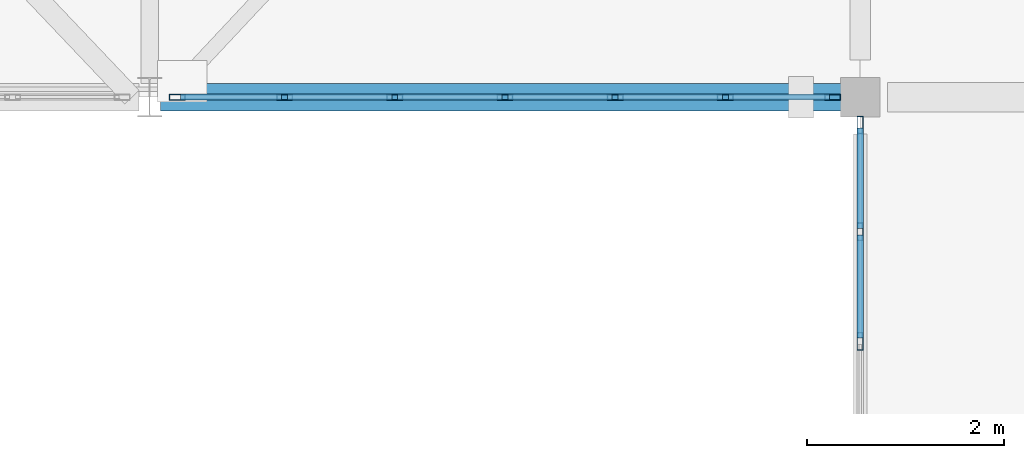
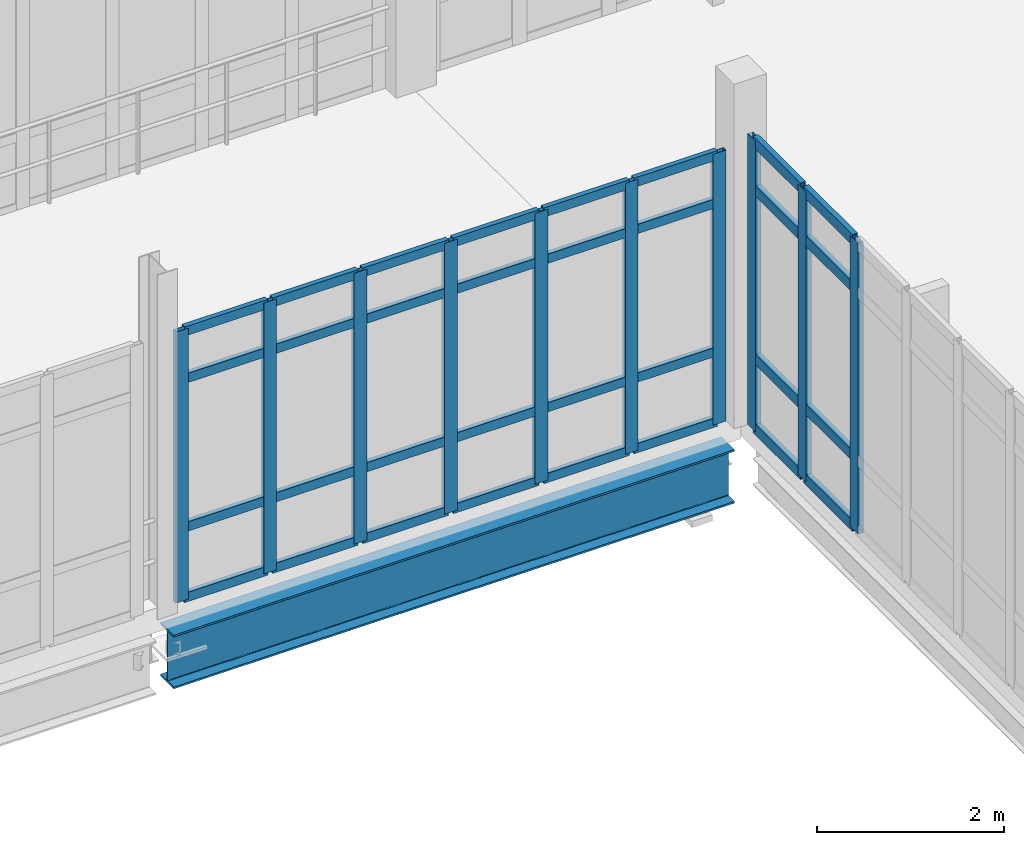
# One storey, part 45 of 116: 42 members, 1 beam, 2 elements without a shape of their own.
"""IFC4 building model written with IfcOpenShell, lengths in metres."""

from ifc_helpers import new_model, si_unit, direction, frame, origin, origin_2d, place, context, subcontext, project, spatial, hollow_rectangle, i_section, extrude, material, material_profile, profile_set, type_object, element, aggregate, save


model = new_model("IFC4")

# Units and contexts
model_context = context("Model", 3, precision=1e-05, world=origin(), true_north=direction((0.0, 1.0)))
body_context = subcontext(model_context, "Body", "Model", "MODEL_VIEW")
ifc_project = project(units=[si_unit("LENGTHUNIT", "METRE"), si_unit("AREAUNIT", "SQUARE_METRE"), si_unit("VOLUMEUNIT", "CUBIC_METRE"), si_unit("PLANEANGLEUNIT", "RADIAN"), si_unit("MASSUNIT", "GRAM", prefix="KILO")], contexts=[model_context])

# Site, building, storey
site_placement = place(None, origin())
site = spatial("IfcSite", under=ifc_project, at=site_placement, CompositionType="ELEMENT")
building_placement = place(site_placement, origin())
building = spatial("IfcBuilding", under=site, at=building_placement, Name="Kalluvel Institute of Natural Sciences", CompositionType="ELEMENT")
storey_placement = place(building_placement, frame((0.0, 0.0, 14.39990234375)))
storey = spatial("IfcBuildingStorey", under=building, at=storey_placement, Name="L03", CompositionType="ELEMENT", Elevation=14.39990234375)

# Beam
ifc_material_1 = material(Name="Steel E350 Grade 350", Category="steel")
ifc_material_profile_1 = material_profile(ifc_material_1, i_section(OverallWidth=0.280029296875, OverallDepth=0.699951171875, WebThickness=0.013916015625, FlangeThickness=0.02392578125, FilletRadius=0.01611328125, at=origin_2d()), Name="WPG 700x280")
ifc_profile_set_1 = profile_set([ifc_material_profile_1], Name="Steel E350 Grade 350")
beam_type = type_object("IfcBeamType", Name="BM-WPG700", PredefinedType="BEAM", material=ifc_profile_set_1)
beam_placement = place(storey_placement, frame((93.31005859375, 28.39990234375, -0.669921875), z_axis=(1.0, 0.0, 0.0), x_axis=(0.0, 1.0, 0.0)))
element("IfcBeam", 1, at=beam_placement, inside=storey, type_object=beam_type, Name="L03 link bridge main plate-girder chord 10", PredefinedType="BEAM", context=body_context, shape_type="SweptSolid", body=[
    extrude(i_section(OverallWidth=0.280029296875, OverallDepth=0.699951171875, WebThickness=0.013916015625, FlangeThickness=0.02392578125, FilletRadius=0.01611328125, at=origin_2d()), origin(), (0.0, 0.0, 1.0), 6.929931640625),
])

# Curtain wall, members
ifc_material_2 = material(Name="Aluminium AW-6063 T6", Category="aluminium")
curtain_wall_type_1 = type_object("IfcCurtainWallType", Name="CW-BRG-45", PredefinedType="USERDEFINED", material=ifc_material_2)
curtain_wall_1_placement = place(storey_placement, origin())
curtain_wall_1 = element("IfcCurtainWall", 2, at=curtain_wall_1_placement, inside=storey, type_object=curtain_wall_type_1, Name="L03 Gothic lancet curtain wall CWA-L03-X934-Y284", ObjectType="UNITISED LANCET FACADE", PredefinedType="USERDEFINED")
ifc_material_profile_2 = material_profile(ifc_material_2, hollow_rectangle(XDim=0.06005859375, YDim=0.159912109375, WallThickness=0.00390625, at=origin_2d()), Name="CWM 60x160")
ifc_profile_set_2 = profile_set([ifc_material_profile_2], Name="Aluminium AW-6063 T6")
member_type_1 = type_object("IfcMemberType", Name="CWM-60x160", PredefinedType="MULLION", material=ifc_profile_set_2)
member_1_placement = place(storey_placement, frame((93.47998046875, 28.39990234375, 0.0), z_axis=(0.0, 0.0, 1.0), x_axis=(0.0, 1.0, 0.0)))
member_1 = element("IfcMember", 3, at=member_1_placement, type_object=member_type_1, Name="CW-07 mullion 1", PredefinedType="MULLION", context=body_context, shape_type="SweptSolid", body=[
    extrude(hollow_rectangle(XDim=0.06005859375, YDim=0.159912109375, WallThickness=0.00390625, at=origin_2d()), origin(), (0.0, 0.0, 1.0), 3.5400390625),
])
member_2_placement = place(storey_placement, frame((94.566650390625, 28.39990234375, 0.0), z_axis=(0.0, 0.0, 1.0), x_axis=(0.0, 1.0, 0.0)))
member_2 = element("IfcMember", 4, at=member_2_placement, type_object=member_type_1, Name="CW-07 mullion 2", PredefinedType="MULLION", context=body_context, shape_type="SweptSolid", body=[
    extrude(hollow_rectangle(XDim=0.06005859375, YDim=0.159912109375, WallThickness=0.00390625, at=origin_2d()), origin(), (0.0, 0.0, 1.0), 3.5400390625),
])
member_3_placement = place(storey_placement, frame((95.683349609375, 28.39990234375, 0.0), z_axis=(0.0, 0.0, 1.0), x_axis=(0.0, 1.0, 0.0)))
member_3 = element("IfcMember", 5, at=member_3_placement, type_object=member_type_1, Name="CW-07 mullion 3", PredefinedType="MULLION", context=body_context, shape_type="SweptSolid", body=[
    extrude(hollow_rectangle(XDim=0.06005859375, YDim=0.159912109375, WallThickness=0.00390625, at=origin_2d()), origin(), (0.0, 0.0, 1.0), 3.5400390625),
])
member_4_placement = place(storey_placement, frame((96.800048828125, 28.39990234375, 0.0), z_axis=(0.0, 0.0, 1.0), x_axis=(0.0, 1.0, 0.0)))
member_4 = element("IfcMember", 6, at=member_4_placement, type_object=member_type_1, Name="CW-07 mullion 4", PredefinedType="MULLION", context=body_context, shape_type="SweptSolid", body=[
    extrude(hollow_rectangle(XDim=0.06005859375, YDim=0.159912109375, WallThickness=0.00390625, at=origin_2d()), origin(), (0.0, 0.0, 1.0), 3.5400390625),
])
member_5_placement = place(storey_placement, frame((97.916748046875, 28.39990234375, 0.0), z_axis=(0.0, 0.0, 1.0), x_axis=(0.0, 1.0, 0.0)))
member_5 = element("IfcMember", 7, at=member_5_placement, type_object=member_type_1, Name="CW-07 mullion 5", PredefinedType="MULLION", context=body_context, shape_type="SweptSolid", body=[
    extrude(hollow_rectangle(XDim=0.06005859375, YDim=0.159912109375, WallThickness=0.00390625, at=origin_2d()), origin(), (0.0, 0.0, 1.0), 3.5400390625),
])
member_6_placement = place(storey_placement, frame((99.033447265625, 28.39990234375, 0.0), z_axis=(0.0, 0.0, 1.0), x_axis=(0.0, 1.0, 0.0)))
member_6 = element("IfcMember", 8, at=member_6_placement, type_object=member_type_1, Name="CW-07 mullion 6", PredefinedType="MULLION", context=body_context, shape_type="SweptSolid", body=[
    extrude(hollow_rectangle(XDim=0.06005859375, YDim=0.159912109375, WallThickness=0.00390625, at=origin_2d()), origin(), (0.0, 0.0, 1.0), 3.5400390625),
])
member_7_placement = place(storey_placement, frame((100.1201171875, 28.39990234375, 0.0), z_axis=(0.0, 0.0, 1.0), x_axis=(0.0, 1.0, 0.0)))
member_7 = element("IfcMember", 9, at=member_7_placement, type_object=member_type_1, Name="CW-07 mullion 7", PredefinedType="MULLION", context=body_context, shape_type="SweptSolid", body=[
    extrude(hollow_rectangle(XDim=0.06005859375, YDim=0.159912109375, WallThickness=0.00390625, at=origin_2d()), origin(), (0.0, 0.0, 1.0), 3.5400390625),
])

curtain_wall_type_2 = type_object("IfcCurtainWallType", Name="CW-SPAV-45", PredefinedType="USERDEFINED", material=ifc_material_2)
curtain_wall_2_placement = place(storey_placement, origin())
curtain_wall_2 = element("IfcCurtainWall", 10, at=curtain_wall_2_placement, inside=storey, type_object=curtain_wall_type_2, Name="L03 Gothic lancet curtain wall CWA-L03-X1004-Y215", ObjectType="UNITISED LANCET FACADE", PredefinedType="USERDEFINED")
ifc_material_profile_3 = material_profile(ifc_material_2, hollow_rectangle(XDim=0.06494140625, YDim=0.179931640625, WallThickness=0.00439453125, at=origin_2d()), Name="CWM 65x180")
ifc_profile_set_3 = profile_set([ifc_material_profile_3], Name="Aluminium AW-6063 T6")
member_type_2 = type_object("IfcMemberType", Name="CWM-65x180", PredefinedType="MULLION", material=ifc_profile_set_3)
member_8_placement = place(storey_placement, frame((100.39990234375, 25.925048828125, 0.0), z_axis=(0.0, 0.0, 1.0), x_axis=(-1.0, 0.0, 0.0)))
member_8 = element("IfcMember", 11, at=member_8_placement, type_object=member_type_2, Name="CW-10 mullion 5", PredefinedType="MULLION", context=body_context, shape_type="SweptSolid", body=[
    extrude(hollow_rectangle(XDim=0.06494140625, YDim=0.179931640625, WallThickness=0.00439453125, at=origin_2d()), origin(), (0.0, 0.0, 1.0), 3.800048828125),
])
member_9_placement = place(storey_placement, frame((100.39990234375, 27.03759765625, 0.0), z_axis=(0.0, 0.0, 1.0), x_axis=(-1.0, 0.0, 0.0)))
member_9 = element("IfcMember", 12, at=member_9_placement, type_object=member_type_2, Name="CW-10 mullion 6", PredefinedType="MULLION", context=body_context, shape_type="SweptSolid", body=[
    extrude(hollow_rectangle(XDim=0.06494140625, YDim=0.179931640625, WallThickness=0.00439453125, at=origin_2d()), origin(), (0.0, 0.0, 1.0), 3.800048828125),
])
member_10_placement = place(storey_placement, frame((100.39990234375, 28.117431640625, 0.0), z_axis=(0.0, 0.0, 1.0), x_axis=(-1.0, 0.0, 0.0)))
member_10 = element("IfcMember", 13, at=member_10_placement, type_object=member_type_2, Name="CW-10 mullion 7", PredefinedType="MULLION", context=body_context, shape_type="SweptSolid", body=[
    extrude(hollow_rectangle(XDim=0.06494140625, YDim=0.179931640625, WallThickness=0.00439453125, at=origin_2d()), origin(), (0.0, 0.0, 1.0), 3.800048828125),
])

# Member
ifc_material_profile_4 = material_profile(ifc_material_2, hollow_rectangle(XDim=0.06005859375, YDim=0.1201171875, WallThickness=0.00390625, at=origin_2d()), Name="CWT 60x120")
ifc_profile_set_4 = profile_set([ifc_material_profile_4], Name="Aluminium AW-6063 T6")
member_type_3 = type_object("IfcMemberType", Name="CWT-60x120", PredefinedType="USERDEFINED", material=ifc_profile_set_4)
member_11_placement = place(storey_placement, frame((93.510009765625, 28.39990234375, 0.030029296875), z_axis=(1.0, 0.0, 0.0), x_axis=(0.0, 1.0, 0.0)))
member_11 = element("IfcMember", 14, at=member_11_placement, type_object=member_type_3, Name="CW-07 transom 1.1", ObjectType="TRANSOM", PredefinedType="USERDEFINED", context=body_context, shape_type="SweptSolid", body=[
    extrude(hollow_rectangle(XDim=0.06005859375, YDim=0.1201171875, WallThickness=0.00390625, at=origin_2d()), origin(), (0.0, 0.0, 1.0), 1.026611328125),
])

member_12_placement = place(storey_placement, frame((93.510009765625, 28.39990234375, 0.9501953125), z_axis=(1.0, 0.0, 0.0), x_axis=(0.0, 1.0, 0.0)))
member_12 = element("IfcMember", 15, at=member_12_placement, type_object=member_type_3, Name="CW-07 transom 1.2", ObjectType="TRANSOM", PredefinedType="USERDEFINED", context=body_context, shape_type="SweptSolid", body=[
    extrude(hollow_rectangle(XDim=0.06005859375, YDim=0.1201171875, WallThickness=0.00390625, at=origin_2d()), origin(), (0.0, 0.0, 1.0), 1.026611328125),
])

member_13_placement = place(storey_placement, frame((93.510009765625, 28.39990234375, 2.89013671875), z_axis=(1.0, 0.0, 0.0), x_axis=(0.0, 1.0, 0.0)))
member_13 = element("IfcMember", 16, at=member_13_placement, type_object=member_type_3, Name="CW-07 transom 1.3", ObjectType="TRANSOM", PredefinedType="USERDEFINED", context=body_context, shape_type="SweptSolid", body=[
    extrude(hollow_rectangle(XDim=0.06005859375, YDim=0.1201171875, WallThickness=0.00390625, at=origin_2d()), origin(), (0.0, 0.0, 1.0), 1.026611328125),
])

member_14_placement = place(storey_placement, frame((93.510009765625, 28.39990234375, 3.510009765625), z_axis=(1.0, 0.0, 0.0), x_axis=(0.0, 1.0, 0.0)))
member_14 = element("IfcMember", 17, at=member_14_placement, type_object=member_type_3, Name="CW-07 transom 1.4", ObjectType="TRANSOM", PredefinedType="USERDEFINED", context=body_context, shape_type="SweptSolid", body=[
    extrude(hollow_rectangle(XDim=0.06005859375, YDim=0.1201171875, WallThickness=0.00390625, at=origin_2d()), origin(), (0.0, 0.0, 1.0), 1.026611328125),
])

member_15_placement = place(storey_placement, frame((94.5966796875, 28.39990234375, 0.030029296875), z_axis=(1.0, 0.0, 0.0), x_axis=(0.0, 1.0, 0.0)))
member_15 = element("IfcMember", 18, at=member_15_placement, type_object=member_type_3, Name="CW-07 transom 2.1", ObjectType="TRANSOM", PredefinedType="USERDEFINED", context=body_context, shape_type="SweptSolid", body=[
    extrude(hollow_rectangle(XDim=0.06005859375, YDim=0.1201171875, WallThickness=0.00390625, at=origin_2d()), origin(), (0.0, 0.0, 1.0), 1.056640625),
])

member_16_placement = place(storey_placement, frame((94.5966796875, 28.39990234375, 0.9501953125), z_axis=(1.0, 0.0, 0.0), x_axis=(0.0, 1.0, 0.0)))
member_16 = element("IfcMember", 19, at=member_16_placement, type_object=member_type_3, Name="CW-07 transom 2.2", ObjectType="TRANSOM", PredefinedType="USERDEFINED", context=body_context, shape_type="SweptSolid", body=[
    extrude(hollow_rectangle(XDim=0.06005859375, YDim=0.1201171875, WallThickness=0.00390625, at=origin_2d()), origin(), (0.0, 0.0, 1.0), 1.056640625),
])

member_17_placement = place(storey_placement, frame((94.5966796875, 28.39990234375, 2.89013671875), z_axis=(1.0, 0.0, 0.0), x_axis=(0.0, 1.0, 0.0)))
member_17 = element("IfcMember", 20, at=member_17_placement, type_object=member_type_3, Name="CW-07 transom 2.3", ObjectType="TRANSOM", PredefinedType="USERDEFINED", context=body_context, shape_type="SweptSolid", body=[
    extrude(hollow_rectangle(XDim=0.06005859375, YDim=0.1201171875, WallThickness=0.00390625, at=origin_2d()), origin(), (0.0, 0.0, 1.0), 1.056640625),
])

member_18_placement = place(storey_placement, frame((94.5966796875, 28.39990234375, 3.510009765625), z_axis=(1.0, 0.0, 0.0), x_axis=(0.0, 1.0, 0.0)))
member_18 = element("IfcMember", 21, at=member_18_placement, type_object=member_type_3, Name="CW-07 transom 2.4", ObjectType="TRANSOM", PredefinedType="USERDEFINED", context=body_context, shape_type="SweptSolid", body=[
    extrude(hollow_rectangle(XDim=0.06005859375, YDim=0.1201171875, WallThickness=0.00390625, at=origin_2d()), origin(), (0.0, 0.0, 1.0), 1.056640625),
])

member_19_placement = place(storey_placement, frame((95.71337890625, 28.39990234375, 0.030029296875), z_axis=(1.0, 0.0, 0.0), x_axis=(0.0, 1.0, 0.0)))
member_19 = element("IfcMember", 22, at=member_19_placement, type_object=member_type_3, Name="CW-07 transom 3.1", ObjectType="TRANSOM", PredefinedType="USERDEFINED", context=body_context, shape_type="SweptSolid", body=[
    extrude(hollow_rectangle(XDim=0.06005859375, YDim=0.1201171875, WallThickness=0.00390625, at=origin_2d()), origin(), (0.0, 0.0, 1.0), 1.056640625),
])

member_20_placement = place(storey_placement, frame((95.71337890625, 28.39990234375, 0.9501953125), z_axis=(1.0, 0.0, 0.0), x_axis=(0.0, 1.0, 0.0)))
member_20 = element("IfcMember", 23, at=member_20_placement, type_object=member_type_3, Name="CW-07 transom 3.2", ObjectType="TRANSOM", PredefinedType="USERDEFINED", context=body_context, shape_type="SweptSolid", body=[
    extrude(hollow_rectangle(XDim=0.06005859375, YDim=0.1201171875, WallThickness=0.00390625, at=origin_2d()), origin(), (0.0, 0.0, 1.0), 1.056640625),
])

member_21_placement = place(storey_placement, frame((95.71337890625, 28.39990234375, 2.89013671875), z_axis=(1.0, 0.0, 0.0), x_axis=(0.0, 1.0, 0.0)))
member_21 = element("IfcMember", 24, at=member_21_placement, type_object=member_type_3, Name="CW-07 transom 3.3", ObjectType="TRANSOM", PredefinedType="USERDEFINED", context=body_context, shape_type="SweptSolid", body=[
    extrude(hollow_rectangle(XDim=0.06005859375, YDim=0.1201171875, WallThickness=0.00390625, at=origin_2d()), origin(), (0.0, 0.0, 1.0), 1.056640625),
])

member_22_placement = place(storey_placement, frame((95.71337890625, 28.39990234375, 3.510009765625), z_axis=(1.0, 0.0, 0.0), x_axis=(0.0, 1.0, 0.0)))
member_22 = element("IfcMember", 25, at=member_22_placement, type_object=member_type_3, Name="CW-07 transom 3.4", ObjectType="TRANSOM", PredefinedType="USERDEFINED", context=body_context, shape_type="SweptSolid", body=[
    extrude(hollow_rectangle(XDim=0.06005859375, YDim=0.1201171875, WallThickness=0.00390625, at=origin_2d()), origin(), (0.0, 0.0, 1.0), 1.056640625),
])

member_23_placement = place(storey_placement, frame((96.830078125, 28.39990234375, 0.030029296875), z_axis=(1.0, 0.0, 0.0), x_axis=(0.0, 1.0, 0.0)))
member_23 = element("IfcMember", 26, at=member_23_placement, type_object=member_type_3, Name="CW-07 transom 4.1", ObjectType="TRANSOM", PredefinedType="USERDEFINED", context=body_context, shape_type="SweptSolid", body=[
    extrude(hollow_rectangle(XDim=0.06005859375, YDim=0.1201171875, WallThickness=0.00390625, at=origin_2d()), origin(), (0.0, 0.0, 1.0), 1.056640625),
])

member_24_placement = place(storey_placement, frame((96.830078125, 28.39990234375, 0.9501953125), z_axis=(1.0, 0.0, 0.0), x_axis=(0.0, 1.0, 0.0)))
member_24 = element("IfcMember", 27, at=member_24_placement, type_object=member_type_3, Name="CW-07 transom 4.2", ObjectType="TRANSOM", PredefinedType="USERDEFINED", context=body_context, shape_type="SweptSolid", body=[
    extrude(hollow_rectangle(XDim=0.06005859375, YDim=0.1201171875, WallThickness=0.00390625, at=origin_2d()), origin(), (0.0, 0.0, 1.0), 1.056640625),
])

member_25_placement = place(storey_placement, frame((96.830078125, 28.39990234375, 2.89013671875), z_axis=(1.0, 0.0, 0.0), x_axis=(0.0, 1.0, 0.0)))
member_25 = element("IfcMember", 28, at=member_25_placement, type_object=member_type_3, Name="CW-07 transom 4.3", ObjectType="TRANSOM", PredefinedType="USERDEFINED", context=body_context, shape_type="SweptSolid", body=[
    extrude(hollow_rectangle(XDim=0.06005859375, YDim=0.1201171875, WallThickness=0.00390625, at=origin_2d()), origin(), (0.0, 0.0, 1.0), 1.056640625),
])

member_26_placement = place(storey_placement, frame((96.830078125, 28.39990234375, 3.510009765625), z_axis=(1.0, 0.0, 0.0), x_axis=(0.0, 1.0, 0.0)))
member_26 = element("IfcMember", 29, at=member_26_placement, type_object=member_type_3, Name="CW-07 transom 4.4", ObjectType="TRANSOM", PredefinedType="USERDEFINED", context=body_context, shape_type="SweptSolid", body=[
    extrude(hollow_rectangle(XDim=0.06005859375, YDim=0.1201171875, WallThickness=0.00390625, at=origin_2d()), origin(), (0.0, 0.0, 1.0), 1.056640625),
])

member_27_placement = place(storey_placement, frame((97.94677734375, 28.39990234375, 0.030029296875), z_axis=(1.0, 0.0, 0.0), x_axis=(0.0, 1.0, 0.0)))
member_27 = element("IfcMember", 30, at=member_27_placement, type_object=member_type_3, Name="CW-07 transom 5.1", ObjectType="TRANSOM", PredefinedType="USERDEFINED", context=body_context, shape_type="SweptSolid", body=[
    extrude(hollow_rectangle(XDim=0.06005859375, YDim=0.1201171875, WallThickness=0.00390625, at=origin_2d()), origin(), (0.0, 0.0, 1.0), 1.056640625),
])

member_28_placement = place(storey_placement, frame((97.94677734375, 28.39990234375, 0.9501953125), z_axis=(1.0, 0.0, 0.0), x_axis=(0.0, 1.0, 0.0)))
member_28 = element("IfcMember", 31, at=member_28_placement, type_object=member_type_3, Name="CW-07 transom 5.2", ObjectType="TRANSOM", PredefinedType="USERDEFINED", context=body_context, shape_type="SweptSolid", body=[
    extrude(hollow_rectangle(XDim=0.06005859375, YDim=0.1201171875, WallThickness=0.00390625, at=origin_2d()), origin(), (0.0, 0.0, 1.0), 1.056640625),
])

member_29_placement = place(storey_placement, frame((97.94677734375, 28.39990234375, 2.89013671875), z_axis=(1.0, 0.0, 0.0), x_axis=(0.0, 1.0, 0.0)))
member_29 = element("IfcMember", 32, at=member_29_placement, type_object=member_type_3, Name="CW-07 transom 5.3", ObjectType="TRANSOM", PredefinedType="USERDEFINED", context=body_context, shape_type="SweptSolid", body=[
    extrude(hollow_rectangle(XDim=0.06005859375, YDim=0.1201171875, WallThickness=0.00390625, at=origin_2d()), origin(), (0.0, 0.0, 1.0), 1.056640625),
])

member_30_placement = place(storey_placement, frame((97.94677734375, 28.39990234375, 3.510009765625), z_axis=(1.0, 0.0, 0.0), x_axis=(0.0, 1.0, 0.0)))
member_30 = element("IfcMember", 33, at=member_30_placement, type_object=member_type_3, Name="CW-07 transom 5.4", ObjectType="TRANSOM", PredefinedType="USERDEFINED", context=body_context, shape_type="SweptSolid", body=[
    extrude(hollow_rectangle(XDim=0.06005859375, YDim=0.1201171875, WallThickness=0.00390625, at=origin_2d()), origin(), (0.0, 0.0, 1.0), 1.056640625),
])

member_31_placement = place(storey_placement, frame((99.063232421875, 28.39990234375, 0.030029296875), z_axis=(1.0, 0.0, 0.0), x_axis=(0.0, 1.0, 0.0)))
member_31 = element("IfcMember", 34, at=member_31_placement, type_object=member_type_3, Name="CW-07 transom 6.1", ObjectType="TRANSOM", PredefinedType="USERDEFINED", context=body_context, shape_type="SweptSolid", body=[
    extrude(hollow_rectangle(XDim=0.06005859375, YDim=0.1201171875, WallThickness=0.00390625, at=origin_2d()), origin(), (0.0, 0.0, 1.0), 1.02685546875),
])

member_32_placement = place(storey_placement, frame((99.063232421875, 28.39990234375, 0.9501953125), z_axis=(1.0, 0.0, 0.0), x_axis=(0.0, 1.0, 0.0)))
member_32 = element("IfcMember", 35, at=member_32_placement, type_object=member_type_3, Name="CW-07 transom 6.2", ObjectType="TRANSOM", PredefinedType="USERDEFINED", context=body_context, shape_type="SweptSolid", body=[
    extrude(hollow_rectangle(XDim=0.06005859375, YDim=0.1201171875, WallThickness=0.00390625, at=origin_2d()), origin(), (0.0, 0.0, 1.0), 1.02685546875),
])

member_33_placement = place(storey_placement, frame((99.063232421875, 28.39990234375, 2.89013671875), z_axis=(1.0, 0.0, 0.0), x_axis=(0.0, 1.0, 0.0)))
member_33 = element("IfcMember", 36, at=member_33_placement, type_object=member_type_3, Name="CW-07 transom 6.3", ObjectType="TRANSOM", PredefinedType="USERDEFINED", context=body_context, shape_type="SweptSolid", body=[
    extrude(hollow_rectangle(XDim=0.06005859375, YDim=0.1201171875, WallThickness=0.00390625, at=origin_2d()), origin(), (0.0, 0.0, 1.0), 1.02685546875),
])

member_34_placement = place(storey_placement, frame((99.063232421875, 28.39990234375, 3.510009765625), z_axis=(1.0, 0.0, 0.0), x_axis=(0.0, 1.0, 0.0)))
member_34 = element("IfcMember", 37, at=member_34_placement, type_object=member_type_3, Name="CW-07 transom 6.4", ObjectType="TRANSOM", PredefinedType="USERDEFINED", context=body_context, shape_type="SweptSolid", body=[
    extrude(hollow_rectangle(XDim=0.06005859375, YDim=0.1201171875, WallThickness=0.00390625, at=origin_2d()), origin(), (0.0, 0.0, 1.0), 1.02685546875),
])

aggregate(curtain_wall_1, [member_1, member_2, member_3, member_4, member_5, member_6, member_7, member_11, member_12, member_13, member_14, member_15, member_16, member_17, member_18, member_19, member_20, member_21, member_22, member_23, member_24, member_25, member_26, member_27, member_28, member_29, member_30, member_31, member_32, member_33, member_34])

ifc_material_profile_5 = material_profile(ifc_material_2, hollow_rectangle(XDim=0.06494140625, YDim=0.139892578125, WallThickness=0.00439453125, at=origin_2d()), Name="CWT 65x140")
ifc_profile_set_5 = profile_set([ifc_material_profile_5], Name="Aluminium AW-6063 T6")
member_type_4 = type_object("IfcMemberType", Name="CWT-65x140", PredefinedType="USERDEFINED", material=ifc_profile_set_5)
member_35_placement = place(storey_placement, frame((100.39990234375, 25.95751953125, 0.03271484375), z_axis=(0.0, 1.0, 0.0), x_axis=(-1.0, 0.0, 0.0)))
member_35 = element("IfcMember", 38, at=member_35_placement, type_object=member_type_4, Name="CW-10 transom 5.1", ObjectType="TRANSOM", PredefinedType="USERDEFINED", context=body_context, shape_type="SweptSolid", body=[
    extrude(hollow_rectangle(XDim=0.06494140625, YDim=0.139892578125, WallThickness=0.00439453125, at=origin_2d()), origin(), (0.0, 0.0, 1.0), 1.04736328125),
])

member_36_placement = place(storey_placement, frame((100.39990234375, 25.95751953125, 0.9501953125), z_axis=(0.0, 1.0, 0.0), x_axis=(-1.0, 0.0, 0.0)))
member_36 = element("IfcMember", 39, at=member_36_placement, type_object=member_type_4, Name="CW-10 transom 5.2", ObjectType="TRANSOM", PredefinedType="USERDEFINED", context=body_context, shape_type="SweptSolid", body=[
    extrude(hollow_rectangle(XDim=0.06494140625, YDim=0.139892578125, WallThickness=0.00439453125, at=origin_2d()), origin(), (0.0, 0.0, 1.0), 1.04736328125),
])

member_37_placement = place(storey_placement, frame((100.39990234375, 25.95751953125, 3.150146484375), z_axis=(0.0, 1.0, 0.0), x_axis=(-1.0, 0.0, 0.0)))
member_37 = element("IfcMember", 40, at=member_37_placement, type_object=member_type_4, Name="CW-10 transom 5.3", ObjectType="TRANSOM", PredefinedType="USERDEFINED", context=body_context, shape_type="SweptSolid", body=[
    extrude(hollow_rectangle(XDim=0.06494140625, YDim=0.139892578125, WallThickness=0.00439453125, at=origin_2d()), origin(), (0.0, 0.0, 1.0), 1.04736328125),
])

member_38_placement = place(storey_placement, frame((100.39990234375, 25.95751953125, 3.767578125), z_axis=(0.0, 1.0, 0.0), x_axis=(-1.0, 0.0, 0.0)))
member_38 = element("IfcMember", 41, at=member_38_placement, type_object=member_type_4, Name="CW-10 transom 5.4", ObjectType="TRANSOM", PredefinedType="USERDEFINED", context=body_context, shape_type="SweptSolid", body=[
    extrude(hollow_rectangle(XDim=0.06494140625, YDim=0.139892578125, WallThickness=0.00439453125, at=origin_2d()), origin(), (0.0, 0.0, 1.0), 1.04736328125),
])

member_39_placement = place(storey_placement, frame((100.39990234375, 27.070068359375, 0.03271484375), z_axis=(0.0, 1.0, 0.0), x_axis=(-1.0, 0.0, 0.0)))
member_39 = element("IfcMember", 42, at=member_39_placement, type_object=member_type_4, Name="CW-10 transom 6.1", ObjectType="TRANSOM", PredefinedType="USERDEFINED", context=body_context, shape_type="SweptSolid", body=[
    extrude(hollow_rectangle(XDim=0.06494140625, YDim=0.139892578125, WallThickness=0.00439453125, at=origin_2d()), origin(), (0.0, 0.0, 1.0), 1.014892578125),
])

member_40_placement = place(storey_placement, frame((100.39990234375, 27.070068359375, 0.9501953125), z_axis=(0.0, 1.0, 0.0), x_axis=(-1.0, 0.0, 0.0)))
member_40 = element("IfcMember", 43, at=member_40_placement, type_object=member_type_4, Name="CW-10 transom 6.2", ObjectType="TRANSOM", PredefinedType="USERDEFINED", context=body_context, shape_type="SweptSolid", body=[
    extrude(hollow_rectangle(XDim=0.06494140625, YDim=0.139892578125, WallThickness=0.00439453125, at=origin_2d()), origin(), (0.0, 0.0, 1.0), 1.014892578125),
])

member_41_placement = place(storey_placement, frame((100.39990234375, 27.070068359375, 3.150146484375), z_axis=(0.0, 1.0, 0.0), x_axis=(-1.0, 0.0, 0.0)))
member_41 = element("IfcMember", 44, at=member_41_placement, type_object=member_type_4, Name="CW-10 transom 6.3", ObjectType="TRANSOM", PredefinedType="USERDEFINED", context=body_context, shape_type="SweptSolid", body=[
    extrude(hollow_rectangle(XDim=0.06494140625, YDim=0.139892578125, WallThickness=0.00439453125, at=origin_2d()), origin(), (0.0, 0.0, 1.0), 1.014892578125),
])

member_42_placement = place(storey_placement, frame((100.39990234375, 27.070068359375, 3.767578125), z_axis=(0.0, 1.0, 0.0), x_axis=(-1.0, 0.0, 0.0)))
member_42 = element("IfcMember", 45, at=member_42_placement, type_object=member_type_4, Name="CW-10 transom 6.4", ObjectType="TRANSOM", PredefinedType="USERDEFINED", context=body_context, shape_type="SweptSolid", body=[
    extrude(hollow_rectangle(XDim=0.06494140625, YDim=0.139892578125, WallThickness=0.00439453125, at=origin_2d()), origin(), (0.0, 0.0, 1.0), 1.014892578125),
])

aggregate(curtain_wall_2, [member_8, member_9, member_10, member_35, member_36, member_37, member_38, member_39, member_40, member_41, member_42])

save(model, "model.ifc")
